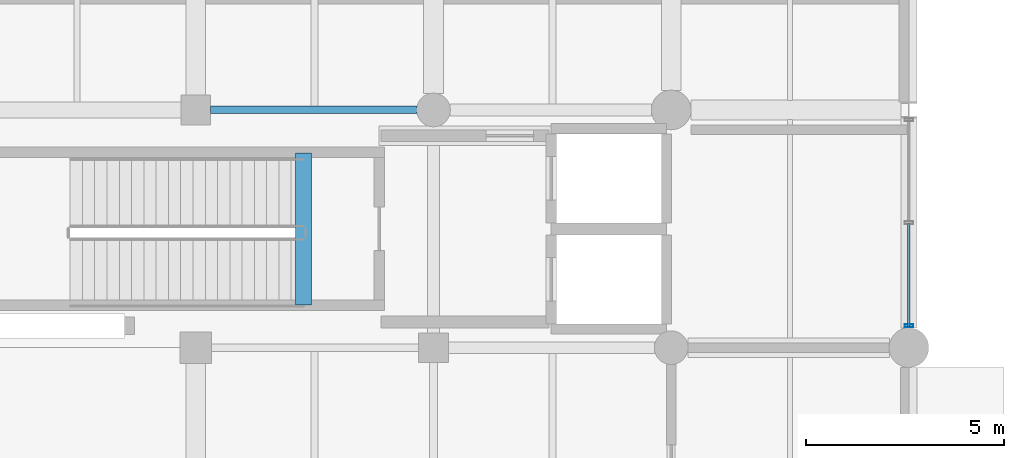
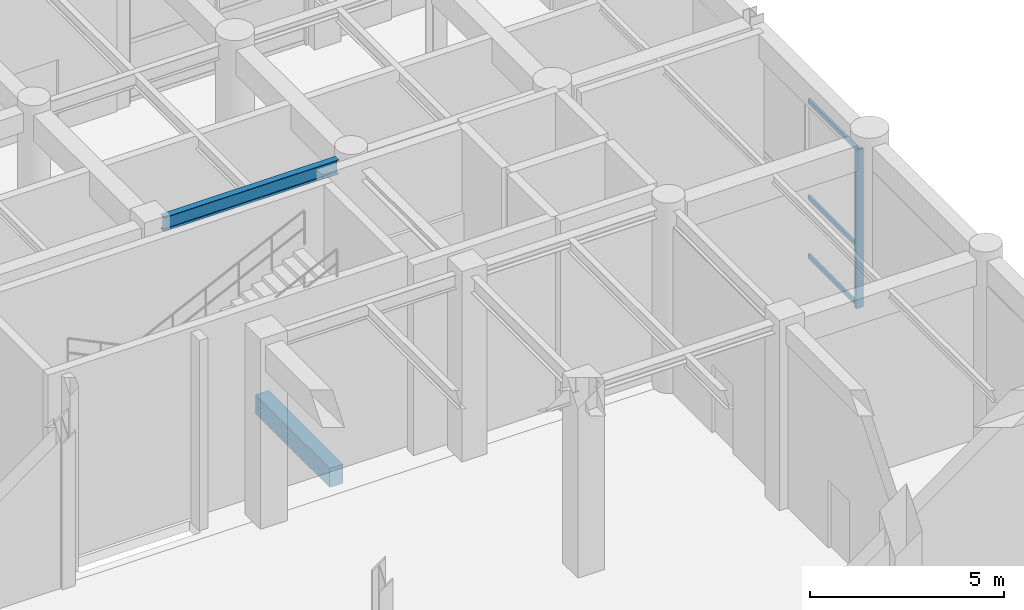
# One storey, part 68 of 106: 4 members, 2 beams, 1 element without a shape of its own.
"""IFC4 building model written with IfcOpenShell, lengths in metres."""

from ifc_helpers import new_model, si_unit, direction, frame, origin, origin_2d, place, context, subcontext, project, spatial, rectangle, hollow_rectangle, i_section, extrude, material, material_profile, profile_set, type_object, element, aggregate, save


model = new_model("IFC4")

# Units and contexts
model_context = context("Model", 3, precision=1e-05, world=origin(), true_north=direction((0.0, 1.0)))
body_context = subcontext(model_context, "Body", "Model", "MODEL_VIEW")
ifc_project = project(units=[si_unit("LENGTHUNIT", "METRE"), si_unit("AREAUNIT", "SQUARE_METRE"), si_unit("VOLUMEUNIT", "CUBIC_METRE"), si_unit("PLANEANGLEUNIT", "RADIAN"), si_unit("MASSUNIT", "GRAM", prefix="KILO"), si_unit("THERMODYNAMICTEMPERATUREUNIT", "KELVIN"), si_unit("POWERUNIT", "WATT")], contexts=[model_context])

# Site, building, storey
site_placement = place(None, origin())
site = spatial("IfcSite", under=ifc_project, at=site_placement, CompositionType="ELEMENT")
building_placement = place(site_placement, origin())
building = spatial("IfcBuilding", under=site, at=building_placement, Name="Phaisarnlok Congress Hotel", CompositionType="ELEMENT")
storey_placement = place(building_placement, origin())
storey = spatial("IfcBuildingStorey", under=building, at=storey_placement, Name="L00", CompositionType="ELEMENT", Elevation=0.0)

# Beams
ifc_material_1 = material(Name="Concrete C40/50", Category="concrete")
ifc_material_profile_1 = material_profile(ifc_material_1, rectangle(XDim=0.39990234375, YDim=0.60009765625, at=origin_2d()), Name="RC 400x600")
ifc_profile_set_1 = profile_set([ifc_material_profile_1], Name="Concrete C40/50")
beam_type_1 = type_object("IfcBeamType", Name="BM-RC-400x600", PredefinedType="BEAM", material=ifc_profile_set_1)
beam_1_placement = place(storey_placement, frame((164.719970703125, 109.080078125, -0.300048828125), z_axis=(0.0, 1.0, 0.0), x_axis=(-1.0, 0.0, 0.0)))
element("IfcBeam", 1, at=beam_1_placement, inside=storey, type_object=beam_type_1, Name="Stair landing header beam B-02 (CORE-1 L00)", PredefinedType="BEAM", context=body_context, shape_type="SweptSolid", body=[
    extrude(rectangle(XDim=0.39990234375, YDim=0.60009765625, at=origin_2d()), origin(), (0.0, 0.0, 1.0), 3.83984375),
])
ifc_material_2 = material(Name="Steel S355", Category="steel")
ifc_material_profile_2 = material_profile(ifc_material_2, i_section(OverallWidth=0.18994140625, OverallDepth=0.449951171875, WebThickness=0.009521484375, FlangeThickness=0.0146484375, FilletRadius=0.02099609375, at=origin_2d()), Name="IPE 450")
ifc_profile_set_2 = profile_set([ifc_material_profile_2], Name="Steel S355")
beam_type_2 = type_object("IfcBeamType", Name="BM-STL-IPE450", PredefinedType="BEAM", material=ifc_profile_set_2)
beam_2_placement = place(storey_placement, frame((162.3701171875, 114.0, 5.514892578125), z_axis=(1.0, 0.0, 0.0), x_axis=(0.0, 1.0, 0.0)))
element("IfcBeam", 2, at=beam_2_placement, inside=storey, type_object=beam_type_2, Name="Beam SB-01", PredefinedType="BEAM", context=body_context, shape_type="SweptSolid", body=[
    extrude(i_section(OverallWidth=0.18994140625, OverallDepth=0.449951171875, WebThickness=0.009521484375, FlangeThickness=0.0146484375, FilletRadius=0.02099609375, at=origin_2d()), origin(), (0.0, 0.0, 1.0), 5.2099609375),
])

# Curtain wall, members
ifc_material_3 = material(Name="Thermally Broken Unitised Aluminium & Low-E Glazing", Category="aluminium")
curtain_wall_type = type_object("IfcCurtainWallType", Name="CW-UNIT-05", PredefinedType="NOTDEFINED", material=ifc_material_3)
curtain_wall_placement = place(storey_placement, origin())
curtain_wall = element("IfcCurtainWall", 3, at=curtain_wall_placement, inside=storey, type_object=curtain_wall_type, Name="Unitised curtain wall CW-05 (L00)", PredefinedType="NOTDEFINED")
ifc_material_4 = material(Name="Anodised Aluminium Alloy 6063-T6", Category="aluminium")
ifc_material_profile_3 = material_profile(ifc_material_4, hollow_rectangle(XDim=0.074951171875, YDim=0.219970703125, WallThickness=0.0048828125, at=origin_2d()), Name="ALU-M 75x220x5")
ifc_profile_set_3 = profile_set([ifc_material_profile_3], Name="Anodised Aluminium Alloy 6063-T6")
member_type_1 = type_object("IfcMemberType", Name="CWM-220", PredefinedType="MULLION", material=ifc_profile_set_3)
member_1_placement = place(storey_placement, frame((180.0, 108.550048828125, 0.0), z_axis=(0.0, 0.0, 1.0), x_axis=(0.0, 1.0, 0.0)))
member_1 = element("IfcMember", 4, at=member_1_placement, type_object=member_type_1, Name="Curtain wall mullion CWM-02", PredefinedType="MULLION", context=body_context, shape_type="SweptSolid", body=[
    extrude(hollow_rectangle(XDim=0.074951171875, YDim=0.219970703125, WallThickness=0.0048828125, at=origin_2d()), origin(), (0.0, 0.0, 1.0), 4.989990234375),
])
ifc_material_profile_4 = material_profile(ifc_material_4, hollow_rectangle(XDim=0.06494140625, YDim=0.139892578125, WallThickness=0.00390625, at=origin_2d()), Name="ALU-T 65x140x4")
ifc_profile_set_4 = profile_set([ifc_material_profile_4], Name="Anodised Aluminium Alloy 6063-T6")
member_type_2 = type_object("IfcMemberType", Name="CWT-150", PredefinedType="USERDEFINED", material=ifc_profile_set_4)
member_2_placement = place(storey_placement, frame((180.0, 108.52490234375, 0.050048828125), z_axis=(0.0, 1.0, 0.0), x_axis=(-1.0, 0.0, 0.0)))
member_2 = element("IfcMember", 5, at=member_2_placement, type_object=member_type_2, Name="Curtain wall transom CWT-01", ObjectType="TRANSOM", PredefinedType="USERDEFINED", context=body_context, shape_type="SweptSolid", body=[
    extrude(hollow_rectangle(XDim=0.06494140625, YDim=0.139892578125, WallThickness=0.00390625, at=origin_2d()), origin(), (0.0, 0.0, 1.0), 2.6103515625),
])
member_3_placement = place(storey_placement, frame((180.0, 108.52490234375, 1.896240234375), z_axis=(0.0, 1.0, 0.0), x_axis=(-1.0, 0.0, 0.0)))
member_3 = element("IfcMember", 6, at=member_3_placement, type_object=member_type_2, Name="Curtain wall transom CWT-01", ObjectType="TRANSOM", PredefinedType="USERDEFINED", context=body_context, shape_type="SweptSolid", body=[
    extrude(hollow_rectangle(XDim=0.06494140625, YDim=0.139892578125, WallThickness=0.00390625, at=origin_2d()), origin(), (0.0, 0.0, 1.0), 2.6103515625),
])
member_4_placement = place(storey_placement, frame((180.0, 108.52490234375, 4.93994140625), z_axis=(0.0, 1.0, 0.0), x_axis=(-1.0, 0.0, 0.0)))
member_4 = element("IfcMember", 7, at=member_4_placement, type_object=member_type_2, Name="Curtain wall transom CWT-01", ObjectType="TRANSOM", PredefinedType="USERDEFINED", context=body_context, shape_type="SweptSolid", body=[
    extrude(hollow_rectangle(XDim=0.06494140625, YDim=0.139892578125, WallThickness=0.00390625, at=origin_2d()), origin(), (0.0, 0.0, 1.0), 2.6103515625),
])
aggregate(curtain_wall, [member_1, member_2, member_3, member_4])

save(model, "model.ifc")
